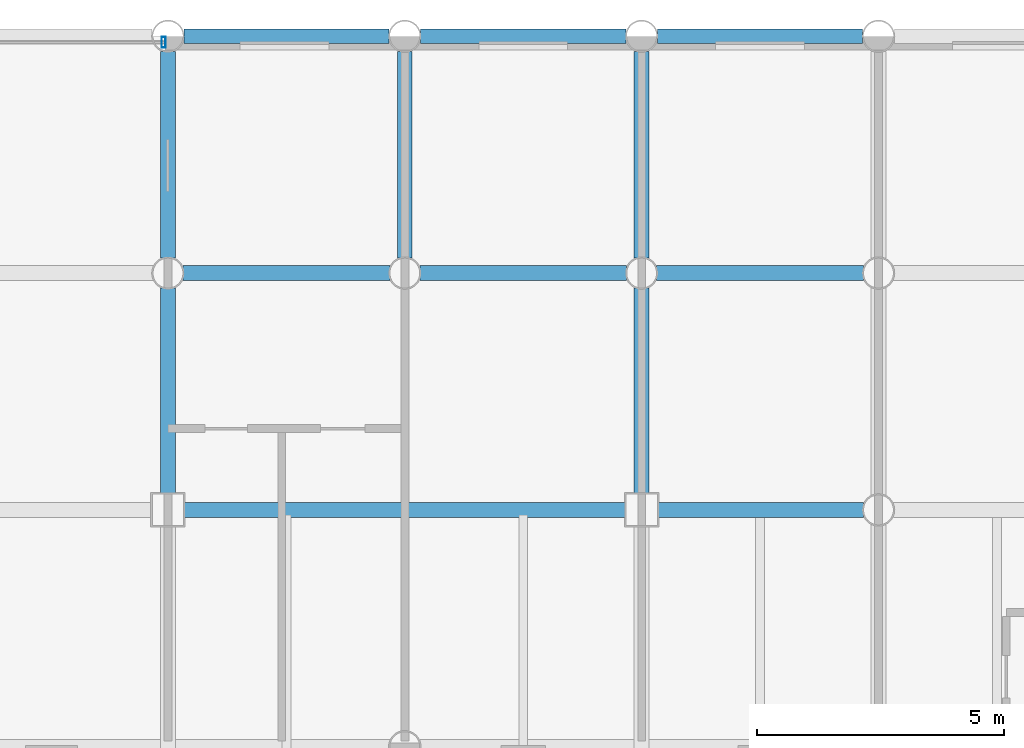
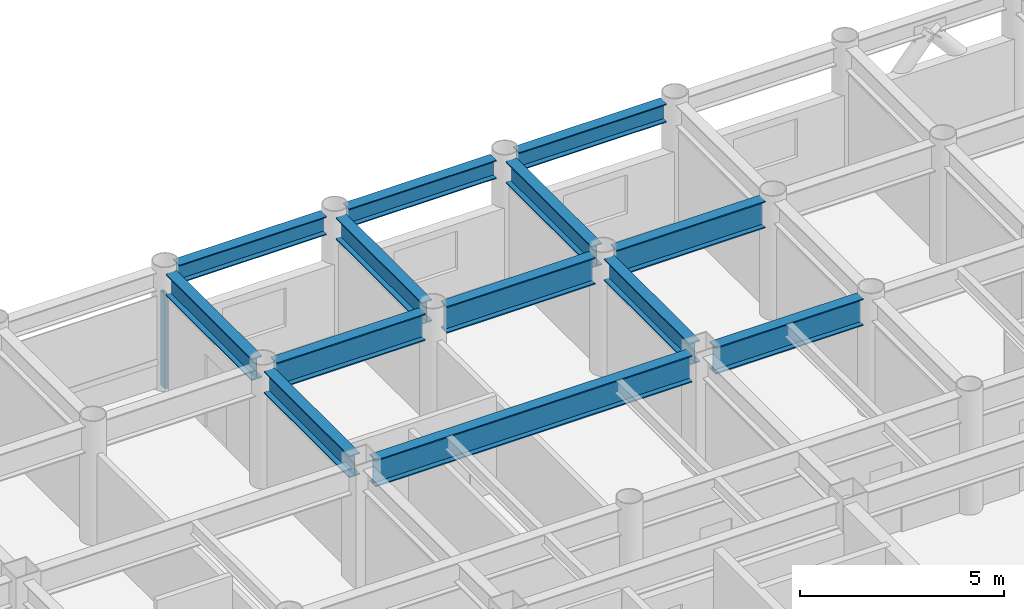
# One storey, part 14 of 22: 13 beams, 1 member, 1 element without a shape of its own.
"""IFC4 building model written with IfcOpenShell, lengths in metres."""

from ifc_helpers import new_model, si_unit, direction, frame, origin, origin_2d, place, context, subcontext, project, spatial, hollow_rectangle, i_section, extrude, material, layer, layer_set, material_profile, profile_set, type_object, element, aggregate, save


model = new_model("IFC4")

# Units and contexts
model_context = context("Model", 3, precision=1e-05, world=origin(), true_north=direction((0.0, 1.0)))
body_context = subcontext(model_context, "Body", "Model", "MODEL_VIEW")
ifc_project = project(units=[si_unit("LENGTHUNIT", "METRE"), si_unit("AREAUNIT", "SQUARE_METRE"), si_unit("VOLUMEUNIT", "CUBIC_METRE"), si_unit("PLANEANGLEUNIT", "RADIAN"), si_unit("MASSUNIT", "GRAM", prefix="KILO")], contexts=[model_context])

# Site, building, storey
site_placement = place(None, origin())
site = spatial("IfcSite", under=ifc_project, at=site_placement, CompositionType="ELEMENT")
building_placement = place(site_placement, origin())
building = spatial("IfcBuilding", under=site, at=building_placement, Name="Kallvorn Hotel Tower", CompositionType="ELEMENT")
storey_placement = place(building_placement, frame((0.0, 0.0, 113.699951171875)))
storey = spatial("IfcBuildingStorey", under=building, at=storey_placement, Name="L27", CompositionType="ELEMENT", Elevation=113.699951171875)

# Beams
ifc_material_1 = material(Name="Structural steel S355JR", Category="steel")
ifc_material_profile_1 = material_profile(ifc_material_1, i_section(OverallWidth=0.300048828125, OverallDepth=0.550048828125, WebThickness=0.014892578125, FlangeThickness=0.029052734375, at=origin_2d()), Name="HE 550 B")
ifc_profile_set_1 = profile_set([ifc_material_profile_1], Name="Structural steel S355JR")
beam_type_1 = type_object("IfcBeamType", Name="BM_HE550B", PredefinedType="SPANDREL", material=ifc_profile_set_1)
beam_1_placement = place(storey_placement, frame((5.1201171875, 24.0, 3.2451171875), z_axis=(1.0, 0.0, 0.0), x_axis=(0.0, 1.0, 0.0)))
element("IfcBeam", 1, at=beam_1_placement, inside=storey, type_object=beam_type_1, Name="L28 Perimeter Spandrel 169", PredefinedType="SPANDREL", context=body_context, shape_type="SweptSolid", body=[
    extrude(i_section(OverallWidth=0.300048828125, OverallDepth=0.550048828125, WebThickness=0.014892578125, FlangeThickness=0.029052734375, at=origin_2d()), origin(), (0.0, 0.0, 1.0), 4.159912109375),
])
beam_2_placement = place(storey_placement, frame((9.919921875, 24.0, 3.2451171875), z_axis=(1.0, 0.0, 0.0), x_axis=(0.0, 1.0, 0.0)))
element("IfcBeam", 2, at=beam_2_placement, inside=storey, type_object=beam_type_1, Name="L28 Perimeter Spandrel 170", PredefinedType="SPANDREL", context=body_context, shape_type="SweptSolid", body=[
    extrude(i_section(OverallWidth=0.300048828125, OverallDepth=0.550048828125, WebThickness=0.014892578125, FlangeThickness=0.029052734375, at=origin_2d()), origin(), (0.0, 0.0, 1.0), 4.16015625),
])
beam_3_placement = place(storey_placement, frame((14.719970703125, 24.0, 3.2451171875), z_axis=(1.0, 0.0, 0.0), x_axis=(0.0, 1.0, 0.0)))
element("IfcBeam", 3, at=beam_3_placement, inside=storey, type_object=beam_type_1, Name="L28 Perimeter Spandrel 171", PredefinedType="SPANDREL", context=body_context, shape_type="SweptSolid", body=[
    extrude(i_section(OverallWidth=0.300048828125, OverallDepth=0.550048828125, WebThickness=0.014892578125, FlangeThickness=0.029052734375, at=origin_2d()), origin(), (0.0, 0.0, 1.0), 4.159912109375),
])
ifc_material_2 = material(Name="Structural steel S355JR", Category="steel")
ifc_material_profile_2 = material_profile(ifc_material_2, i_section(OverallWidth=0.300048828125, OverallDepth=0.64990234375, WebThickness=0.01611328125, FlangeThickness=0.031005859375, at=origin_2d()), Name="HE 650 B")
ifc_profile_set_2 = profile_set([ifc_material_profile_2], Name="Structural steel S355JR")
beam_type_2 = type_object("IfcBeamType", Name="BM_HE650B", PredefinedType="BEAM", material=ifc_profile_set_2)
beam_4_placement = place(storey_placement, frame((4.800048828125, 14.72509765625, 3.195068359375), z_axis=(0.0, 1.0, 0.0), x_axis=(-1.0, 0.0, 0.0)))
element("IfcBeam", 4, at=beam_4_placement, inside=storey, type_object=beam_type_2, Name="L28 Primary Y-Girder 116", PredefinedType="BEAM", context=body_context, shape_type="SweptSolid", body=[
    extrude(i_section(OverallWidth=0.300048828125, OverallDepth=0.64990234375, WebThickness=0.01611328125, FlangeThickness=0.031005859375, at=origin_2d()), origin(), (0.0, 0.0, 1.0), 4.169921875),
])
for number, where, z_axis, x_axis, name in (
    (5, (4.800048828125, 19.5048828125, 3.195068359375), (0.0, 1.0, 0.0), (-1.0, 0.0, 0.0), "L28 Primary Y-Girder 117"),
    (6, (9.60009765625, 19.5048828125, 3.195068359375), (0.0, 1.0, 0.0), (-1.0, 0.0, 0.0), "L28 Primary Y-Girder 120"),
):
    element("IfcBeam", number, at=place(storey_placement, frame(where, z_axis=z_axis, x_axis=x_axis)), inside=storey, type_object=beam_type_2, Name=name, PredefinedType="BEAM", context=body_context, shape_type="SweptSolid", body=[
        extrude(i_section(OverallWidth=0.300048828125, OverallDepth=0.64990234375, WebThickness=0.01611328125, FlangeThickness=0.031005859375, at=origin_2d()), origin(), (0.0, 0.0, 1.0), 4.190185546875),
    ])
beam_5_placement = place(storey_placement, frame((14.39990234375, 14.72509765625, 3.195068359375), z_axis=(0.0, 1.0, 0.0), x_axis=(-1.0, 0.0, 0.0)))
element("IfcBeam", 7, at=beam_5_placement, inside=storey, type_object=beam_type_2, Name="L28 Primary Y-Girder 124", PredefinedType="BEAM", context=body_context, shape_type="SweptSolid", body=[
    extrude(i_section(OverallWidth=0.300048828125, OverallDepth=0.64990234375, WebThickness=0.01611328125, FlangeThickness=0.031005859375, at=origin_2d()), origin(), (0.0, 0.0, 1.0), 4.169921875),
])
beam_6_placement = place(storey_placement, frame((14.39990234375, 19.5048828125, 3.195068359375), z_axis=(0.0, 1.0, 0.0), x_axis=(-1.0, 0.0, 0.0)))
element("IfcBeam", 8, at=beam_6_placement, inside=storey, type_object=beam_type_2, Name="L28 Primary Y-Girder 125", PredefinedType="BEAM", context=body_context, shape_type="SweptSolid", body=[
    extrude(i_section(OverallWidth=0.300048828125, OverallDepth=0.64990234375, WebThickness=0.01611328125, FlangeThickness=0.031005859375, at=origin_2d()), origin(), (0.0, 0.0, 1.0), 4.190185546875),
])
ifc_material_3 = material(Name="Structural steel S355JR", Category="steel")
ifc_material_profile_3 = material_profile(ifc_material_3, i_section(OverallWidth=0.300048828125, OverallDepth=0.800048828125, WebThickness=0.017578125, FlangeThickness=0.032958984375, at=origin_2d()), Name="HE 800 B")
ifc_profile_set_3 = profile_set([ifc_material_profile_3], Name="Structural steel S355JR")
beam_type_3 = type_object("IfcBeamType", Name="BM_HE800B", PredefinedType="BEAM", material=ifc_profile_set_3)
beam_7_placement = place(storey_placement, frame((5.125, 14.39990234375, 3.1201171875), z_axis=(1.0, 0.0, 0.0), x_axis=(0.0, 1.0, 0.0)))
element("IfcBeam", 9, at=beam_7_placement, inside=storey, type_object=beam_type_3, Name="L28 Primary X-Girder 55", PredefinedType="BEAM", context=body_context, shape_type="SweptSolid", body=[
    extrude(i_section(OverallWidth=0.300048828125, OverallDepth=0.800048828125, WebThickness=0.017578125, FlangeThickness=0.032958984375, at=origin_2d()), origin(), (0.0, 0.0, 1.0), 8.949951171875),
])
beam_8_placement = place(storey_placement, frame((14.72509765625, 14.39990234375, 3.1201171875), z_axis=(1.0, 0.0, 0.0), x_axis=(0.0, 1.0, 0.0)))
element("IfcBeam", 10, at=beam_8_placement, inside=storey, type_object=beam_type_3, Name="L28 Primary X-Girder 56", PredefinedType="BEAM", context=body_context, shape_type="SweptSolid", body=[
    extrude(i_section(OverallWidth=0.300048828125, OverallDepth=0.800048828125, WebThickness=0.017578125, FlangeThickness=0.032958984375, at=origin_2d()), origin(), (0.0, 0.0, 1.0), 4.169921875),
])
for number, where, z_axis, x_axis, name in (
    (11, (5.10498046875, 19.199951171875, 3.1201171875), (1.0, 0.0, 0.0), (0.0, 1.0, 0.0), "L28 Primary X-Girder 67"),
    (12, (9.905029296875, 19.199951171875, 3.1201171875), (1.0, 0.0, 0.0), (0.0, 1.0, 0.0), "L28 Primary X-Girder 68"),
    (13, (14.705078125, 19.199951171875, 3.1201171875), (1.0, 0.0, 0.0), (0.0, 1.0, 0.0), "L28 Primary X-Girder 69"),
):
    element("IfcBeam", number, at=place(storey_placement, frame(where, z_axis=z_axis, x_axis=x_axis)), inside=storey, type_object=beam_type_3, Name=name, PredefinedType="BEAM", context=body_context, shape_type="SweptSolid", body=[
        extrude(i_section(OverallWidth=0.300048828125, OverallDepth=0.800048828125, WebThickness=0.017578125, FlangeThickness=0.032958984375, at=origin_2d()), origin(), (0.0, 0.0, 1.0), 4.18994140625),
    ])

# Curtain wall, member
ifc_material_4 = material(Name="Thermally broken black-anodised aluminium AA 6063-T6", Category="aluminium")
ifc_layer = layer(ifc_material_4, 0.199951171875)
ifc_layer_set = layer_set([ifc_layer], Name="CW_SYS_3_HOTEL_LOW")
curtain_wall_type = type_object("IfcCurtainWallType", Name="CW_SYS_3_HOTEL_LOW", PredefinedType="USERDEFINED", material=ifc_layer_set)
curtain_wall_placement = place(storey_placement, origin())
curtain_wall = element("IfcCurtainWall", 14, at=curtain_wall_placement, inside=storey, type_object=curtain_wall_type, Name="L27 Dark-Glass Curtain Wall CW-L27-NC", ObjectType="UNITISED CURTAIN WALL", PredefinedType="USERDEFINED")
ifc_material_5 = material(Name="Thermally broken black-anodised aluminium AA 6063-T6", Category="aluminium")
ifc_material_profile_4 = material_profile(ifc_material_5, hollow_rectangle(XDim=0.080078125, YDim=0.219970703125, WallThickness=0.0048828125, at=origin_2d()), Name="MUL 220x80")
ifc_profile_set_4 = profile_set([ifc_material_profile_4], Name="Thermally broken black-anodised aluminium AA 6063-T6")
member_type = type_object("IfcMemberType", Name="CW_MULLION_220x80", PredefinedType="MULLION", material=ifc_profile_set_4)
member_placement = place(storey_placement, frame((4.7099609375, 23.8798828125, 0.02001953125), z_axis=(0.0, 0.0, 1.0), x_axis=(1.0, 0.0, 0.0)))
member = element("IfcMember", 15, at=member_placement, type_object=member_type, Name="CW-L27-NC Mullion 02", PredefinedType="MULLION", context=body_context, shape_type="SweptSolid", body=[
    extrude(hollow_rectangle(XDim=0.080078125, YDim=0.219970703125, WallThickness=0.0048828125, at=origin_2d()), origin(), (0.0, 0.0, 1.0), 2.830078125),
])
aggregate(curtain_wall, [member])

save(model, "model.ifc")
